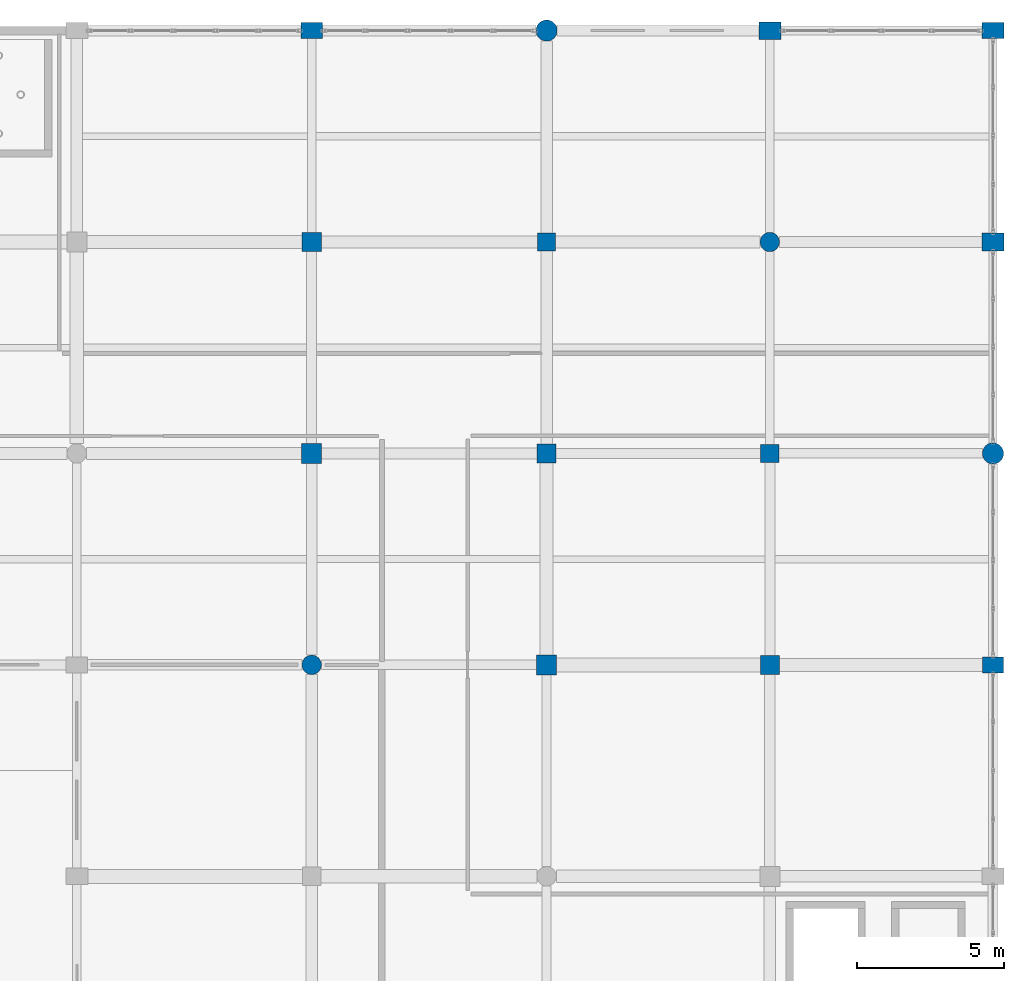
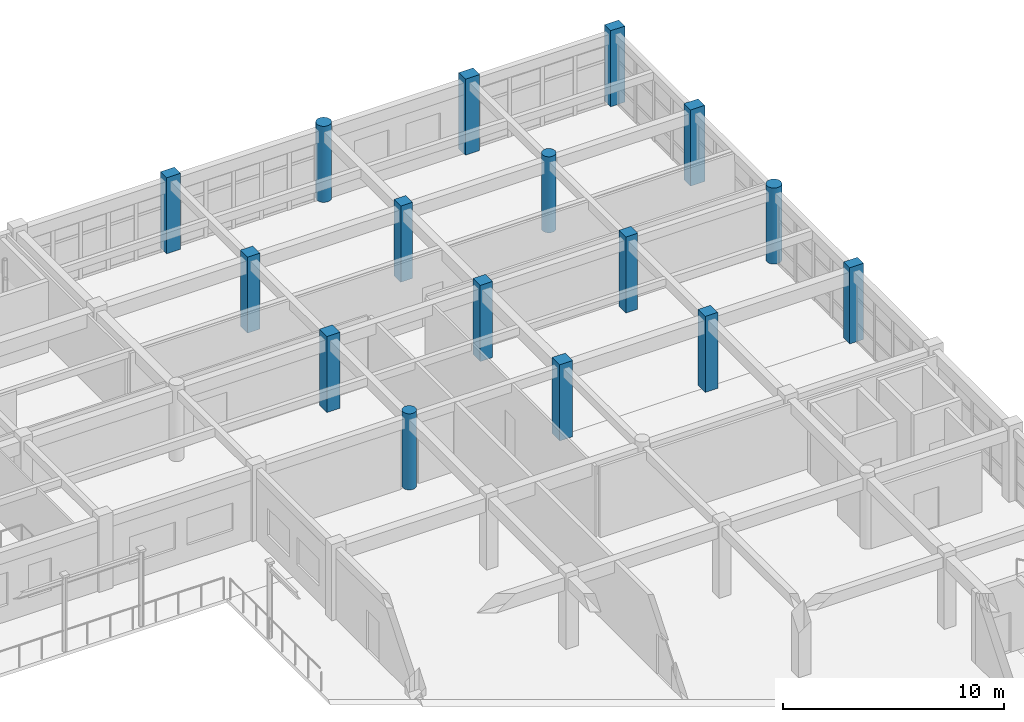
# One storey, part 32 of 195: 16 columns.
"""IFC4 building model written with IfcOpenShell, lengths in metres."""

from ifc_helpers import new_model, si_unit, direction, frame, origin, origin_2d, place, context, subcontext, project, spatial, rectangle, circle, extrude, material, material_profile, profile_set, type_object, element, save


model = new_model("IFC4")

# Units and contexts
model_context = context("Model", 3, precision=1e-05, world=origin(), true_north=direction((0.0, 1.0)))
body_context = subcontext(model_context, "Body", "Model", "MODEL_VIEW")
ifc_project = project(units=[si_unit("LENGTHUNIT", "METRE"), si_unit("AREAUNIT", "SQUARE_METRE"), si_unit("VOLUMEUNIT", "CUBIC_METRE"), si_unit("PLANEANGLEUNIT", "RADIAN"), si_unit("MASSUNIT", "GRAM", prefix="KILO")], contexts=[model_context])

# Site, building, storey
site_placement = place(None, origin())
site = spatial("IfcSite", under=ifc_project, at=site_placement, CompositionType="ELEMENT")
building_placement = place(site_placement, origin())
building = spatial("IfcBuilding", under=site, at=building_placement, Name="Kharva Crest Polytechnic", CompositionType="ELEMENT")
storey_placement = place(building_placement, frame((0.0, 0.0, 9.0)))
storey = spatial("IfcBuildingStorey", under=building, at=storey_placement, Name="L02", CompositionType="ELEMENT", Elevation=9.0)

# Columns
ifc_material = material(Name="Concrete C40/50", Category="concrete")
ifc_material_profile_1 = material_profile(ifc_material, rectangle(XDim=0.719970703125, YDim=0.550048828125, at=origin_2d()), Name="RECT 720 X 550")
ifc_profile_set_1 = profile_set([ifc_material_profile_1], Name="Concrete C40/50")
column_type_1 = type_object("IfcColumnType", Name="COL-EXT-720X550", PredefinedType="COLUMN", material=ifc_profile_set_1)
for number, where, z_axis, x_axis, name in (
    (1, (160.800048828125, 122.0, 0.0), (0.0, 0.0, 1.0), (1.0, 0.0, 0.0), "L02 Column 21/S"),
    (2, (184.0, 100.39990234375, 0.0), (0.0, 0.0, 1.0), (1.0, 0.0, 0.0), "L02 Column 24/P"),
):
    element("IfcColumn", number, at=place(storey_placement, frame(where, z_axis=z_axis, x_axis=x_axis)), inside=storey, type_object=column_type_1, Name=name, PredefinedType="COLUMN", context=body_context, shape_type="SweptSolid", body=[
        extrude(rectangle(XDim=0.719970703125, YDim=0.550048828125, at=origin_2d()), origin(), (0.0, 0.0, 1.0), 4.199951171875),
    ])
ifc_material_profile_2 = material_profile(ifc_material, rectangle(XDim=0.75, YDim=0.550048828125, at=origin_2d()), Name="RECT 750 X 550")
ifc_profile_set_2 = profile_set([ifc_material_profile_2], Name="Concrete C40/50")
column_type_2 = type_object("IfcColumnType", Name="COL-EXT-750X550", PredefinedType="COLUMN", material=ifc_profile_set_2)
column_placement = place(storey_placement, frame((184.0, 122.0, 0.0), z_axis=(0.0, 0.0, 1.0), x_axis=(1.0, 0.0, 0.0)))
element("IfcColumn", 3, at=column_placement, inside=storey, type_object=column_type_2, Name="L02 Column 24/S", PredefinedType="COLUMN", context=body_context, shape_type="SweptSolid", body=[
    extrude(rectangle(XDim=0.75, YDim=0.550048828125, at=origin_2d()), origin(), (0.0, 0.0, 1.0), 4.199951171875),
])
ifc_material_profile_3 = material_profile(ifc_material, rectangle(XDim=0.75, YDim=0.60009765625, at=origin_2d()), Name="RECT 750 X 600")
ifc_profile_set_3 = profile_set([ifc_material_profile_3], Name="Concrete C40/50")
column_type_3 = type_object("IfcColumnType", Name="COL-EXT-750X600", PredefinedType="COLUMN", material=ifc_profile_set_3)
for number, where, z_axis, x_axis, name in (
    (4, (176.39990234375, 122.0, 0.0), (0.0, 0.0, 1.0), (1.0, 0.0, 0.0), "L02 Column 23/S"),
    (5, (184.0, 114.800048828125, 0.0), (0.0, 0.0, 1.0), (1.0, 0.0, 0.0), "L02 Column 24/R"),
):
    element("IfcColumn", number, at=place(storey_placement, frame(where, z_axis=z_axis, x_axis=x_axis)), inside=storey, type_object=column_type_3, Name=name, PredefinedType="COLUMN", context=body_context, shape_type="SweptSolid", body=[
        extrude(rectangle(XDim=0.75, YDim=0.60009765625, at=origin_2d()), origin(), (0.0, 0.0, 1.0), 4.199951171875),
    ])
ifc_material_profile_4 = material_profile(ifc_material, circle(Radius=0.360107421875, at=origin_2d()), Name="DIA 720")
ifc_profile_set_4 = profile_set([ifc_material_profile_4], Name="Concrete C40/50")
column_type_4 = type_object("IfcColumnType", Name="COL-EXT-DIA720", PredefinedType="COLUMN", material=ifc_profile_set_4)
for number, where, z_axis, x_axis, name in (
    (6, (168.800048828125, 122.0, 0.0), (0.0, 0.0, 1.0), (1.0, 0.0, 0.0), "L02 Column 22/S"),
    (7, (184.0, 107.60009765625, 0.0), (0.0, 0.0, 1.0), (1.0, 0.0, 0.0), "L02 Column 24/Q"),
):
    element("IfcColumn", number, at=place(storey_placement, frame(where, z_axis=z_axis, x_axis=x_axis)), inside=storey, type_object=column_type_4, Name=name, PredefinedType="COLUMN", context=body_context, shape_type="SweptSolid", body=[
        extrude(circle(Radius=0.360107421875, at=origin_2d()), origin(), (0.0, 0.0, 1.0), 4.199951171875),
    ])
ifc_material_profile_5 = material_profile(ifc_material, rectangle(XDim=0.6201171875, YDim=0.6201171875, at=origin_2d()), Name="RECT 620 X 620")
ifc_profile_set_5 = profile_set([ifc_material_profile_5], Name="Concrete C40/50")
column_type_5 = type_object("IfcColumnType", Name="COL-INT-620X620", PredefinedType="COLUMN", material=ifc_profile_set_5)
for number, where, z_axis, x_axis, name in (
    (8, (168.800048828125, 114.800048828125, 0.0), (0.0, 0.0, 1.0), (1.0, 0.0, 0.0), "L02 Column 22/R"),
    (9, (176.39990234375, 107.60009765625, 0.0), (0.0, 0.0, 1.0), (1.0, 0.0, 0.0), "L02 Column 23/Q"),
):
    element("IfcColumn", number, at=place(storey_placement, frame(where, z_axis=z_axis, x_axis=x_axis)), inside=storey, type_object=column_type_5, Name=name, PredefinedType="COLUMN", context=body_context, shape_type="SweptSolid", body=[
        extrude(rectangle(XDim=0.6201171875, YDim=0.6201171875, at=origin_2d()), origin(), (0.0, 0.0, 1.0), 4.199951171875),
    ])
ifc_material_profile_6 = material_profile(ifc_material, rectangle(XDim=0.64990234375, YDim=0.64990234375, at=origin_2d()), Name="RECT 650 X 650")
ifc_profile_set_6 = profile_set([ifc_material_profile_6], Name="Concrete C40/50")
column_type_6 = type_object("IfcColumnType", Name="COL-INT-650X650", PredefinedType="COLUMN", material=ifc_profile_set_6)
for number, where, z_axis, x_axis, name in (
    (10, (160.800048828125, 114.800048828125, 0.0), (0.0, 0.0, 1.0), (1.0, 0.0, 0.0), "L02 Column 21/R"),
    (11, (168.800048828125, 107.60009765625, 0.0), (0.0, 0.0, 1.0), (1.0, 0.0, 0.0), "L02 Column 22/Q"),
    (12, (176.39990234375, 100.39990234375, 0.0), (0.0, 0.0, 1.0), (1.0, 0.0, 0.0), "L02 Column 23/P"),
):
    element("IfcColumn", number, at=place(storey_placement, frame(where, z_axis=z_axis, x_axis=x_axis)), inside=storey, type_object=column_type_6, Name=name, PredefinedType="COLUMN", context=body_context, shape_type="SweptSolid", body=[
        extrude(rectangle(XDim=0.64990234375, YDim=0.64990234375, at=origin_2d()), origin(), (0.0, 0.0, 1.0), 4.199951171875),
    ])
ifc_material_profile_7 = material_profile(ifc_material, rectangle(XDim=0.679931640625, YDim=0.679931640625, at=origin_2d()), Name="RECT 680 X 680")
ifc_profile_set_7 = profile_set([ifc_material_profile_7], Name="Concrete C40/50")
column_type_7 = type_object("IfcColumnType", Name="COL-INT-680X680", PredefinedType="COLUMN", material=ifc_profile_set_7)
for number, where, z_axis, x_axis, name in (
    (13, (160.800048828125, 107.60009765625, 0.0), (0.0, 0.0, 1.0), (1.0, 0.0, 0.0), "L02 Column 21/Q"),
    (14, (168.800048828125, 100.39990234375, 0.0), (0.0, 0.0, 1.0), (1.0, 0.0, 0.0), "L02 Column 22/P"),
):
    element("IfcColumn", number, at=place(storey_placement, frame(where, z_axis=z_axis, x_axis=x_axis)), inside=storey, type_object=column_type_7, Name=name, PredefinedType="COLUMN", context=body_context, shape_type="SweptSolid", body=[
        extrude(rectangle(XDim=0.679931640625, YDim=0.679931640625, at=origin_2d()), origin(), (0.0, 0.0, 1.0), 4.199951171875),
    ])
ifc_material_profile_8 = material_profile(ifc_material, circle(Radius=0.330078125, at=origin_2d()), Name="DIA 660")
ifc_profile_set_8 = profile_set([ifc_material_profile_8], Name="Concrete C40/50")
column_type_8 = type_object("IfcColumnType", Name="COL-INT-DIA660", PredefinedType="COLUMN", material=ifc_profile_set_8)
for number, where, z_axis, x_axis, name in (
    (15, (160.800048828125, 100.39990234375, 0.0), (0.0, 0.0, 1.0), (1.0, 0.0, 0.0), "L02 Column 21/P"),
    (16, (176.39990234375, 114.800048828125, 0.0), (0.0, 0.0, 1.0), (1.0, 0.0, 0.0), "L02 Column 23/R"),
):
    element("IfcColumn", number, at=place(storey_placement, frame(where, z_axis=z_axis, x_axis=x_axis)), inside=storey, type_object=column_type_8, Name=name, PredefinedType="COLUMN", context=body_context, shape_type="SweptSolid", body=[
        extrude(circle(Radius=0.330078125, at=origin_2d()), origin(), (0.0, 0.0, 1.0), 4.199951171875),
    ])

save(model, "model.ifc")
